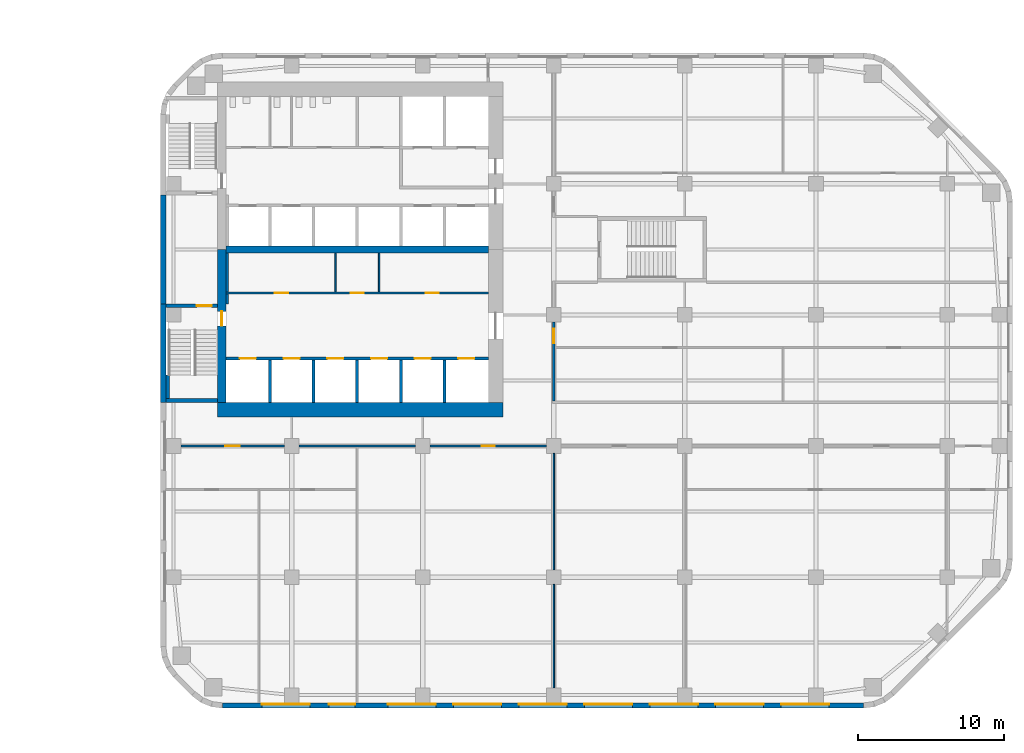
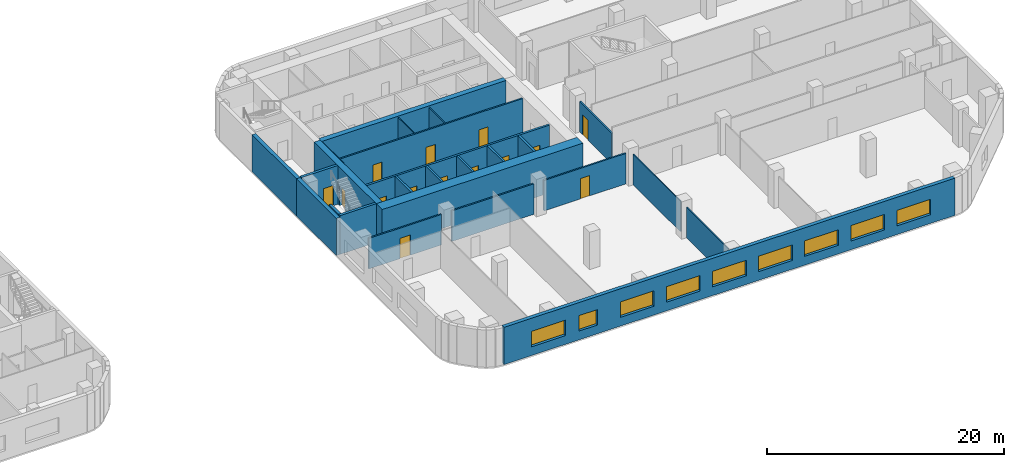
# One storey, part 9 of 16: 26 walls, 14 doors, 9 windows, 23 openings.
"""IFC4 building model written with IfcOpenShell, lengths in metres."""

from ifc_helpers import new_model, si_unit, direction, frame, frame_2d, origin, place, context, subcontext, project, spatial, rectangle, extrude, material, layer, layer_set, type_object, element, fill, save


model = new_model("IFC4")

# Units and contexts
model_context = context("Model", 3, precision=1e-05, world=origin(), true_north=direction((0.0, 1.0)))
body_context = subcontext(model_context, "Body", "Model", "MODEL_VIEW")
ifc_project = project(units=[si_unit("LENGTHUNIT", "METRE"), si_unit("AREAUNIT", "SQUARE_METRE"), si_unit("VOLUMEUNIT", "CUBIC_METRE"), si_unit("PLANEANGLEUNIT", "RADIAN"), si_unit("MASSUNIT", "GRAM", prefix="KILO")], contexts=[model_context])

# Site, building, storey
site_placement = place(None, origin())
site = spatial("IfcSite", under=ifc_project, at=site_placement, CompositionType="ELEMENT")
building_placement = place(site_placement, origin())
building = spatial("IfcBuilding", under=site, at=building_placement, Name="Cinnabar Reach Civic Tower", CompositionType="ELEMENT")
storey_placement = place(building_placement, frame((0.0, 0.0, 79.0)))
storey = spatial("IfcBuildingStorey", under=building, at=storey_placement, Name="L18", CompositionType="ELEMENT", Elevation=79.0)

# Wall, openings, windows
ifc_material_1 = material(Name="Facing brick with insulated backing", Category="masonry")
ifc_layer_1 = layer(ifc_material_1, 0.36)
ifc_layer_set_1 = layer_set([ifc_layer_1], Name="Brick pier and spandrel wall")
wall_type_1 = type_object("IfcWallType", Name="Brick pier and spandrel wall", PredefinedType="STANDARD", material=ifc_layer_set_1)
wall_1_placement = place(storey_placement, frame((4.2426, 0.18, 0.0), z_axis=(0.0, 0.0, 1.0), x_axis=(1.0, 0.0, 0.0)))
wall_1 = element("IfcWall", 1, at=wall_1_placement, inside=storey, type_object=wall_type_1, Name="Brick facade wall", PredefinedType="STANDARD", context=body_context, shape_type="SweptSolid", body=[
    extrude(rectangle(XDim=44.0148, YDim=0.36, at=frame_2d((22.0074, 0.0))), origin(), (0.0, 0.0, 1.0), 3.85),
])
opening_1_placement = place(wall_1_placement, frame((2.7074, 0.0, 0.9)))
opening_1 = element("IfcOpeningElement", 2, at=opening_1_placement, cuts=wall_1, Name="Opening W1348", PredefinedType="OPENING", context=body_context, shape_type="SweptSolid", body=[
    extrude(rectangle(XDim=3.3, YDim=1.6, at=frame_2d((1.65, 0.8))), frame((0.0, 0.19, 0.0), z_axis=(0.0, -1.0, 0.0), x_axis=(1.0, 0.0, 0.0)), (0.0, 0.0, 1.0), 0.38),
])
opening_2_placement = place(wall_1_placement, frame((7.3074, 0.0, 0.9)))
opening_2 = element("IfcOpeningElement", 3, at=opening_2_placement, cuts=wall_1, Name="Opening W1349", PredefinedType="OPENING", context=body_context, shape_type="SweptSolid", body=[
    extrude(rectangle(XDim=1.8, YDim=1.6, at=frame_2d((0.9, 0.8))), frame((0.0, 0.19, 0.0), z_axis=(0.0, -1.0, 0.0), x_axis=(1.0, 0.0, 0.0)), (0.0, 0.0, 1.0), 0.38),
])
opening_3_placement = place(wall_1_placement, frame((11.3574, 0.0, 0.9)))
opening_3 = element("IfcOpeningElement", 4, at=opening_3_placement, cuts=wall_1, Name="Opening W1350", PredefinedType="OPENING", context=body_context, shape_type="SweptSolid", body=[
    extrude(rectangle(XDim=3.3, YDim=1.6, at=frame_2d((1.65, 0.8))), frame((0.0, 0.19, 0.0), z_axis=(0.0, -1.0, 0.0), x_axis=(1.0, 0.0, 0.0)), (0.0, 0.0, 1.0), 0.38),
])
opening_4_placement = place(wall_1_placement, frame((15.8574, 0.0, 0.9)))
opening_4 = element("IfcOpeningElement", 5, at=opening_4_placement, cuts=wall_1, Name="Opening W1351", PredefinedType="OPENING", context=body_context, shape_type="SweptSolid", body=[
    extrude(rectangle(XDim=3.3, YDim=1.6, at=frame_2d((1.65, 0.8))), frame((0.0, 0.19, 0.0), z_axis=(0.0, -1.0, 0.0), x_axis=(1.0, 0.0, 0.0)), (0.0, 0.0, 1.0), 0.38),
])
opening_5_placement = place(wall_1_placement, frame((20.3574, 0.0, 0.9)))
opening_5 = element("IfcOpeningElement", 6, at=opening_5_placement, cuts=wall_1, Name="Opening W1352", PredefinedType="OPENING", context=body_context, shape_type="SweptSolid", body=[
    extrude(rectangle(XDim=3.3, YDim=1.6, at=frame_2d((1.65, 0.8))), frame((0.0, 0.19, 0.0), z_axis=(0.0, -1.0, 0.0), x_axis=(1.0, 0.0, 0.0)), (0.0, 0.0, 1.0), 0.38),
])
opening_6_placement = place(wall_1_placement, frame((24.8574, 0.0, 0.9)))
opening_6 = element("IfcOpeningElement", 7, at=opening_6_placement, cuts=wall_1, Name="Opening W1353", PredefinedType="OPENING", context=body_context, shape_type="SweptSolid", body=[
    extrude(rectangle(XDim=3.3, YDim=1.6, at=frame_2d((1.65, 0.8))), frame((0.0, 0.19, 0.0), z_axis=(0.0, -1.0, 0.0), x_axis=(1.0, 0.0, 0.0)), (0.0, 0.0, 1.0), 0.38),
])
opening_7_placement = place(wall_1_placement, frame((29.3574, 0.0, 0.9)))
opening_7 = element("IfcOpeningElement", 8, at=opening_7_placement, cuts=wall_1, Name="Opening W1354", PredefinedType="OPENING", context=body_context, shape_type="SweptSolid", body=[
    extrude(rectangle(XDim=3.3, YDim=1.6, at=frame_2d((1.65, 0.8))), frame((0.0, 0.19, 0.0), z_axis=(0.0, -1.0, 0.0), x_axis=(1.0, 0.0, 0.0)), (0.0, 0.0, 1.0), 0.38),
])
opening_8_placement = place(wall_1_placement, frame((33.8574, 0.0, 0.9)))
opening_8 = element("IfcOpeningElement", 9, at=opening_8_placement, cuts=wall_1, Name="Opening W1355", PredefinedType="OPENING", context=body_context, shape_type="SweptSolid", body=[
    extrude(rectangle(XDim=3.3, YDim=1.6, at=frame_2d((1.65, 0.8))), frame((0.0, 0.19, 0.0), z_axis=(0.0, -1.0, 0.0), x_axis=(1.0, 0.0, 0.0)), (0.0, 0.0, 1.0), 0.38),
])
opening_9_placement = place(wall_1_placement, frame((38.3574, 0.0, 0.9)))
opening_9 = element("IfcOpeningElement", 10, at=opening_9_placement, cuts=wall_1, Name="Opening W1356", PredefinedType="OPENING", context=body_context, shape_type="SweptSolid", body=[
    extrude(rectangle(XDim=3.3, YDim=1.6, at=frame_2d((1.65, 0.8))), frame((0.0, 0.19, 0.0), z_axis=(0.0, -1.0, 0.0), x_axis=(1.0, 0.0, 0.0)), (0.0, 0.0, 1.0), 0.38),
])
ifc_material_2 = material(Name="Clear double glazing in aluminium frame", Category="aluminium")
window_type_1 = type_object("IfcWindowType", Name="Deep-set window A", PartitioningType="SINGLE_PANEL", PredefinedType="WINDOW", material=ifc_material_2)
window_1_placement = place(opening_1_placement, origin())
window_1 = element("IfcWindow", 11, at=window_1_placement, inside=storey, type_object=window_type_1, Name="Window south face", OverallHeight=1.6, OverallWidth=3.3, PartitioningType="SINGLE_PANEL", PredefinedType="WINDOW", context=body_context, shape_type="SweptSolid", body=[
    extrude(rectangle(XDim=3.3, YDim=1.6, at=frame_2d((1.65, 0.8))), frame((0.0, 0.13, 0.0), z_axis=(0.0, -1.0, 0.0), x_axis=(1.0, 0.0, 0.0)), (0.0, 0.0, 1.0), 0.06),
])
fill(opening_1, window_1)
window_2_placement = place(opening_3_placement, origin())
window_2 = element("IfcWindow", 12, at=window_2_placement, inside=storey, type_object=window_type_1, Name="Window south face", OverallHeight=1.6, OverallWidth=3.3, PartitioningType="SINGLE_PANEL", PredefinedType="WINDOW", context=body_context, shape_type="SweptSolid", body=[
    extrude(rectangle(XDim=3.3, YDim=1.6, at=frame_2d((1.65, 0.8))), frame((0.0, 0.13, 0.0), z_axis=(0.0, -1.0, 0.0), x_axis=(1.0, 0.0, 0.0)), (0.0, 0.0, 1.0), 0.06),
])
fill(opening_3, window_2)
window_3_placement = place(opening_4_placement, origin())
window_3 = element("IfcWindow", 13, at=window_3_placement, inside=storey, type_object=window_type_1, Name="Window south face", OverallHeight=1.6, OverallWidth=3.3, PartitioningType="SINGLE_PANEL", PredefinedType="WINDOW", context=body_context, shape_type="SweptSolid", body=[
    extrude(rectangle(XDim=3.3, YDim=1.6, at=frame_2d((1.65, 0.8))), frame((0.0, 0.13, 0.0), z_axis=(0.0, -1.0, 0.0), x_axis=(1.0, 0.0, 0.0)), (0.0, 0.0, 1.0), 0.06),
])
fill(opening_4, window_3)
window_4_placement = place(opening_5_placement, origin())
window_4 = element("IfcWindow", 14, at=window_4_placement, inside=storey, type_object=window_type_1, Name="Window south face", OverallHeight=1.6, OverallWidth=3.3, PartitioningType="SINGLE_PANEL", PredefinedType="WINDOW", context=body_context, shape_type="SweptSolid", body=[
    extrude(rectangle(XDim=3.3, YDim=1.6, at=frame_2d((1.65, 0.8))), frame((0.0, 0.13, 0.0), z_axis=(0.0, -1.0, 0.0), x_axis=(1.0, 0.0, 0.0)), (0.0, 0.0, 1.0), 0.06),
])
fill(opening_5, window_4)
window_5_placement = place(opening_6_placement, origin())
window_5 = element("IfcWindow", 15, at=window_5_placement, inside=storey, type_object=window_type_1, Name="Window south face", OverallHeight=1.6, OverallWidth=3.3, PartitioningType="SINGLE_PANEL", PredefinedType="WINDOW", context=body_context, shape_type="SweptSolid", body=[
    extrude(rectangle(XDim=3.3, YDim=1.6, at=frame_2d((1.65, 0.8))), frame((0.0, 0.13, 0.0), z_axis=(0.0, -1.0, 0.0), x_axis=(1.0, 0.0, 0.0)), (0.0, 0.0, 1.0), 0.06),
])
fill(opening_6, window_5)
window_6_placement = place(opening_7_placement, origin())
window_6 = element("IfcWindow", 16, at=window_6_placement, inside=storey, type_object=window_type_1, Name="Window south face", OverallHeight=1.6, OverallWidth=3.3, PartitioningType="SINGLE_PANEL", PredefinedType="WINDOW", context=body_context, shape_type="SweptSolid", body=[
    extrude(rectangle(XDim=3.3, YDim=1.6, at=frame_2d((1.65, 0.8))), frame((0.0, 0.13, 0.0), z_axis=(0.0, -1.0, 0.0), x_axis=(1.0, 0.0, 0.0)), (0.0, 0.0, 1.0), 0.06),
])
fill(opening_7, window_6)
window_7_placement = place(opening_8_placement, origin())
window_7 = element("IfcWindow", 17, at=window_7_placement, inside=storey, type_object=window_type_1, Name="Window south face", OverallHeight=1.6, OverallWidth=3.3, PartitioningType="SINGLE_PANEL", PredefinedType="WINDOW", context=body_context, shape_type="SweptSolid", body=[
    extrude(rectangle(XDim=3.3, YDim=1.6, at=frame_2d((1.65, 0.8))), frame((0.0, 0.13, 0.0), z_axis=(0.0, -1.0, 0.0), x_axis=(1.0, 0.0, 0.0)), (0.0, 0.0, 1.0), 0.06),
])
fill(opening_8, window_7)
window_8_placement = place(opening_9_placement, origin())
window_8 = element("IfcWindow", 18, at=window_8_placement, inside=storey, type_object=window_type_1, Name="Window south face", OverallHeight=1.6, OverallWidth=3.3, PartitioningType="SINGLE_PANEL", PredefinedType="WINDOW", context=body_context, shape_type="SweptSolid", body=[
    extrude(rectangle(XDim=3.3, YDim=1.6, at=frame_2d((1.65, 0.8))), frame((0.0, 0.13, 0.0), z_axis=(0.0, -1.0, 0.0), x_axis=(1.0, 0.0, 0.0)), (0.0, 0.0, 1.0), 0.06),
])
fill(opening_9, window_8)
window_type_2 = type_object("IfcWindowType", Name="Deep-set window D", PartitioningType="SINGLE_PANEL", PredefinedType="WINDOW", material=ifc_material_2)
window_9_placement = place(opening_2_placement, origin())
window_9 = element("IfcWindow", 19, at=window_9_placement, inside=storey, type_object=window_type_2, Name="Window south face", OverallHeight=1.6, OverallWidth=1.8, PartitioningType="SINGLE_PANEL", PredefinedType="WINDOW", context=body_context, shape_type="SweptSolid", body=[
    extrude(rectangle(XDim=1.8, YDim=1.6, at=frame_2d((0.9, 0.8))), frame((0.0, 0.13, 0.0), z_axis=(0.0, -1.0, 0.0), x_axis=(1.0, 0.0, 0.0)), (0.0, 0.0, 1.0), 0.06),
])
fill(opening_2, window_9)

# Walls
wall_2_placement = place(storey_placement, frame((0.18, 35.25, 0.0), z_axis=(0.0, 0.0, 1.0), x_axis=(0.0, -1.0, 0.0)))
element("IfcWall", 20, at=wall_2_placement, inside=storey, type_object=wall_type_1, Name="Brick facade wall", PredefinedType="STANDARD", context=body_context, shape_type="SweptSolid", body=[
    extrude(rectangle(XDim=7.5, YDim=0.36, at=frame_2d((3.75, 0.0))), origin(), (0.0, 0.0, 1.0), 3.85),
])
wall_3_placement = place(storey_placement, frame((0.18, 27.75, 0.0), z_axis=(0.0, 0.0, 1.0), x_axis=(0.0, -1.0, 0.0)))
element("IfcWall", 21, at=wall_3_placement, inside=storey, type_object=wall_type_1, Name="Brick facade wall", PredefinedType="STANDARD", context=body_context, shape_type="SweptSolid", body=[
    extrude(rectangle(XDim=6.75, YDim=0.36, at=frame_2d((3.375, 0.0))), origin(), (0.0, 0.0, 1.0), 3.85),
])
ifc_material_3 = material(Name="Concrete C70", Category="concrete")
ifc_layer_2 = layer(ifc_material_3, 1.0)
ifc_layer_set_2 = layer_set([ifc_layer_2], Name="Core wall 1000 EI 180")
wall_type_2 = type_object("IfcWallType", Name="Core wall 1000 EI 180", PredefinedType="SOLIDWALL", material=ifc_layer_set_2)
wall_4_placement = place(storey_placement, frame((3.9, 20.5, 0.0), z_axis=(0.0, 0.0, 1.0), x_axis=(1.0, 0.0, 0.0)))
element("IfcWall", 22, at=wall_4_placement, inside=storey, type_object=wall_type_2, Name="Core wall T1 L18 S", PredefinedType="SOLIDWALL", context=body_context, shape_type="SweptSolid", body=[
    extrude(rectangle(XDim=19.6, YDim=1.0, at=frame_2d((9.8, 0.0))), origin(), (0.0, 0.0, 1.0), 4.0),
])
ifc_material_4 = material(Name="Concrete C60", Category="concrete")
ifc_layer_3 = layer(ifc_material_4, 0.5)
ifc_layer_set_3 = layer_set([ifc_layer_3], Name="Core wall 500 EI 180")
wall_type_3 = type_object("IfcWallType", Name="Core wall 500 EI 180", PredefinedType="SOLIDWALL", material=ifc_layer_set_3)
wall_5_placement = place(storey_placement, frame((4.5, 31.5, 0.0), z_axis=(0.0, 0.0, 1.0), x_axis=(1.0, 0.0, 0.0)))
element("IfcWall", 23, at=wall_5_placement, inside=storey, type_object=wall_type_3, Name="Core spine wall T1 L18", PredefinedType="SOLIDWALL", context=body_context, shape_type="SweptSolid", body=[
    extrude(rectangle(XDim=18.0, YDim=0.5, at=frame_2d((9.0, 0.0))), origin(), (0.0, 0.0, 1.0), 4.0),
])

# Wall, opening, door
ifc_layer_4 = layer(ifc_material_3, 0.6)
ifc_layer_set_4 = layer_set([ifc_layer_4], Name="Core wall 600 EI 180")
wall_type_4 = type_object("IfcWallType", Name="Core wall 600 EI 180", PredefinedType="SOLIDWALL", material=ifc_layer_set_4)
wall_6_placement = place(storey_placement, frame((4.2, 31.5, 0.0), z_axis=(0.0, 0.0, 1.0), x_axis=(0.0, -1.0, 0.0)))
wall_6 = element("IfcWall", 24, at=wall_6_placement, inside=storey, type_object=wall_type_4, Name="Core wall T1 L18 W2", PredefinedType="SOLIDWALL", context=body_context, shape_type="SweptSolid", body=[
    extrude(rectangle(XDim=10.5, YDim=0.6, at=frame_2d((5.25, 0.0))), origin(), (0.0, 0.0, 1.0), 4.0),
])
opening_10_placement = place(wall_6_placement, frame((4.25, 0.0, 0.0)))
opening_10 = element("IfcOpeningElement", 25, at=opening_10_placement, cuts=wall_6, Name="Opening D3710", PredefinedType="OPENING", context=body_context, shape_type="SweptSolid", body=[
    extrude(rectangle(XDim=1.0, YDim=2.1, at=frame_2d((0.5, 1.05))), frame((0.0, 0.31, 0.0), z_axis=(0.0, -1.0, 0.0), x_axis=(1.0, 0.0, 0.0)), (0.0, 0.0, 1.0), 0.62),
])
ifc_material_5 = material(Name="Timber door leaf in steel frame", Category="steel")
door_type_1 = type_object("IfcDoorType", Name="Stair door 1000 x 2100 T1", OperationType="SINGLE_SWING_LEFT", PredefinedType="DOOR", material=ifc_material_5)
door_1_placement = place(opening_10_placement, frame((1.0, 0.0, 0.0), z_axis=(0.0, 0.0, 1.0), x_axis=(-1.0, 0.0, 0.0)))
door_1 = element("IfcDoor", 26, at=door_1_placement, inside=storey, type_object=door_type_1, Name="Door D3710", OperationType="SINGLE_SWING_RIGHT", OverallHeight=2.1, OverallWidth=1.0, PredefinedType="DOOR", context=body_context, shape_type="SweptSolid", body=[
    extrude(rectangle(XDim=1.0, YDim=2.1, at=frame_2d((0.5, 1.05))), frame((0.0, 0.025, 0.0), z_axis=(0.0, -1.0, 0.0), x_axis=(1.0, 0.0, 0.0)), (0.0, 0.0, 1.0), 0.05),
])
fill(opening_10, door_1)

ifc_material_6 = material(Name="Gypsum board on steel studs, double layer", Category="steel")
ifc_layer_5 = layer(ifc_material_6, 0.15)
ifc_layer_set_5 = layer_set([ifc_layer_5], Name="Corridor wall 150 T1")
wall_type_5 = type_object("IfcWallType", Name="Corridor wall 150 T1", PredefinedType="PARTITIONING", material=ifc_layer_set_5)
wall_7_placement = place(storey_placement, frame((18.5, 18.0, 0.0), z_axis=(0.0, 0.0, 1.0), x_axis=(1.0, 0.0, 0.0)))
wall_7 = element("IfcWall", 27, at=wall_7_placement, inside=storey, type_object=wall_type_5, Name="Corridor wall 23", PredefinedType="PARTITIONING", context=body_context, shape_type="SweptSolid", body=[
    extrude(rectangle(XDim=8.0, YDim=0.15, at=frame_2d((4.0, 0.0))), origin(), (0.0, 0.0, 1.0), 3.15),
])
opening_11_placement = place(wall_7_placement, frame((3.55, 0.0, 0.0)))
opening_11 = element("IfcOpeningElement", 28, at=opening_11_placement, cuts=wall_7, Name="Opening D3746", PredefinedType="OPENING", context=body_context, shape_type="SweptSolid", body=[
    extrude(rectangle(XDim=0.9, YDim=2.1, at=frame_2d((0.45, 1.05))), frame((0.0, 0.085, 0.0), z_axis=(0.0, -1.0, 0.0), x_axis=(1.0, 0.0, 0.0)), (0.0, 0.0, 1.0), 0.17),
])
door_type_2 = type_object("IfcDoorType", Name="Single swing door 900 x 2100 corridor T1", OperationType="SINGLE_SWING_LEFT", PredefinedType="DOOR", material=ifc_material_5)
door_2_placement = place(opening_11_placement, frame((0.9, 0.0, 0.0), z_axis=(0.0, 0.0, 1.0), x_axis=(-1.0, 0.0, 0.0)))
door_2 = element("IfcDoor", 29, at=door_2_placement, inside=storey, type_object=door_type_2, Name="Door D3746", OperationType="SINGLE_SWING_LEFT", OverallHeight=2.1, OverallWidth=0.9, PredefinedType="DOOR", context=body_context, shape_type="SweptSolid", body=[
    extrude(rectangle(XDim=0.9, YDim=2.1, at=frame_2d((0.45, 1.05))), frame((0.0, 0.025, 0.0), z_axis=(0.0, -1.0, 0.0), x_axis=(1.0, 0.0, 0.0)), (0.0, 0.0, 1.0), 0.05),
])
fill(opening_11, door_2)

# Wall
wall_8_placement = place(storey_placement, frame((9.5, 18.0, 0.0), z_axis=(0.0, 0.0, 1.0), x_axis=(1.0, 0.0, 0.0)))
element("IfcWall", 30, at=wall_8_placement, inside=storey, type_object=wall_type_5, Name="Corridor wall 24", PredefinedType="PARTITIONING", context=body_context, shape_type="SweptSolid", body=[
    extrude(rectangle(XDim=8.0, YDim=0.15, at=frame_2d((4.0, 0.0))), origin(), (0.0, 0.0, 1.0), 3.15),
])

# Wall, opening, door
wall_9_placement = place(storey_placement, frame((1.4, 18.0, 0.0), z_axis=(0.0, 0.0, 1.0), x_axis=(1.0, 0.0, 0.0)))
wall_9 = element("IfcWall", 31, at=wall_9_placement, inside=storey, type_object=wall_type_5, Name="Corridor wall 25", PredefinedType="PARTITIONING", context=body_context, shape_type="SweptSolid", body=[
    extrude(rectangle(XDim=7.1, YDim=0.15, at=frame_2d((3.55, 0.0))), origin(), (0.0, 0.0, 1.0), 3.15),
])
opening_12_placement = place(wall_9_placement, frame((3.05, 0.0, 0.0)))
opening_12 = element("IfcOpeningElement", 32, at=opening_12_placement, cuts=wall_9, Name="Opening D3743", PredefinedType="OPENING", context=body_context, shape_type="SweptSolid", body=[
    extrude(rectangle(XDim=1.0, YDim=2.1, at=frame_2d((0.5, 1.05))), frame((0.0, 0.085, 0.0), z_axis=(0.0, -1.0, 0.0), x_axis=(1.0, 0.0, 0.0)), (0.0, 0.0, 1.0), 0.17),
])
door_type_3 = type_object("IfcDoorType", Name="Tenancy entrance door 1000 x 2100 T1", OperationType="SINGLE_SWING_LEFT", PredefinedType="DOOR", material=ifc_material_5)
door_3_placement = place(opening_12_placement, frame((1.0, 0.0, 0.0), z_axis=(0.0, 0.0, 1.0), x_axis=(-1.0, 0.0, 0.0)))
door_3 = element("IfcDoor", 33, at=door_3_placement, inside=storey, type_object=door_type_3, Name="Door D3743", OperationType="SINGLE_SWING_RIGHT", OverallHeight=2.1, OverallWidth=1.0, PredefinedType="DOOR", context=body_context, shape_type="SweptSolid", body=[
    extrude(rectangle(XDim=1.0, YDim=2.1, at=frame_2d((0.5, 1.05))), frame((0.0, 0.025, 0.0), z_axis=(0.0, -1.0, 0.0), x_axis=(1.0, 0.0, 0.0)), (0.0, 0.0, 1.0), 0.05),
])
fill(opening_12, door_3)

# Wall, openings, doors
wall_10_placement = place(storey_placement, frame((4.5, 28.5, 0.0), z_axis=(0.0, 0.0, 1.0), x_axis=(1.0, 0.0, 0.0)))
wall_10 = element("IfcWall", 34, at=wall_10_placement, inside=storey, type_object=wall_type_5, Name="Corridor wall 27", PredefinedType="PARTITIONING", context=body_context, shape_type="SweptSolid", body=[
    extrude(rectangle(XDim=18.0, YDim=0.15, at=frame_2d((9.0, 0.0))), origin(), (0.0, 0.0, 1.0), 3.85),
])
opening_13_placement = place(wall_10_placement, frame((3.35, 0.0, 0.0)))
opening_13 = element("IfcOpeningElement", 35, at=opening_13_placement, cuts=wall_10, Name="Opening D3730", PredefinedType="OPENING", context=body_context, shape_type="SweptSolid", body=[
    extrude(rectangle(XDim=0.9, YDim=2.1, at=frame_2d((0.45, 1.05))), frame((0.0, 0.085, 0.0), z_axis=(0.0, -1.0, 0.0), x_axis=(1.0, 0.0, 0.0)), (0.0, 0.0, 1.0), 0.17),
])
opening_14_placement = place(wall_10_placement, frame((8.55, 0.0, 0.0)))
opening_14 = element("IfcOpeningElement", 36, at=opening_14_placement, cuts=wall_10, Name="Opening D3731", PredefinedType="OPENING", context=body_context, shape_type="SweptSolid", body=[
    extrude(rectangle(XDim=0.9, YDim=2.1, at=frame_2d((0.45, 1.05))), frame((0.0, 0.085, 0.0), z_axis=(0.0, -1.0, 0.0), x_axis=(1.0, 0.0, 0.0)), (0.0, 0.0, 1.0), 0.17),
])
opening_15_placement = place(wall_10_placement, frame((13.7, 0.0, 0.0)))
opening_15 = element("IfcOpeningElement", 37, at=opening_15_placement, cuts=wall_10, Name="Opening D3732", PredefinedType="OPENING", context=body_context, shape_type="SweptSolid", body=[
    extrude(rectangle(XDim=0.9, YDim=2.1, at=frame_2d((0.45, 1.05))), frame((0.0, 0.085, 0.0), z_axis=(0.0, -1.0, 0.0), x_axis=(1.0, 0.0, 0.0)), (0.0, 0.0, 1.0), 0.17),
])
door_4_placement = place(opening_13_placement, origin())
door_4 = element("IfcDoor", 38, at=door_4_placement, inside=storey, type_object=door_type_2, Name="Door D3730", OperationType="SINGLE_SWING_LEFT", OverallHeight=2.1, OverallWidth=0.9, PredefinedType="DOOR", context=body_context, shape_type="SweptSolid", body=[
    extrude(rectangle(XDim=0.9, YDim=2.1, at=frame_2d((0.45, 1.05))), frame((0.0, 0.025, 0.0), z_axis=(0.0, -1.0, 0.0), x_axis=(1.0, 0.0, 0.0)), (0.0, 0.0, 1.0), 0.05),
])
fill(opening_13, door_4)
door_5_placement = place(opening_14_placement, origin())
door_5 = element("IfcDoor", 39, at=door_5_placement, inside=storey, type_object=door_type_2, Name="Door D3731", OperationType="SINGLE_SWING_RIGHT", OverallHeight=2.1, OverallWidth=0.9, PredefinedType="DOOR", context=body_context, shape_type="SweptSolid", body=[
    extrude(rectangle(XDim=0.9, YDim=2.1, at=frame_2d((0.45, 1.05))), frame((0.0, 0.025, 0.0), z_axis=(0.0, -1.0, 0.0), x_axis=(1.0, 0.0, 0.0)), (0.0, 0.0, 1.0), 0.05),
])
fill(opening_14, door_5)
door_6_placement = place(opening_15_placement, origin())
door_6 = element("IfcDoor", 40, at=door_6_placement, inside=storey, type_object=door_type_2, Name="Door D3732", OperationType="SINGLE_SWING_RIGHT", OverallHeight=2.1, OverallWidth=0.9, PredefinedType="DOOR", context=body_context, shape_type="SweptSolid", body=[
    extrude(rectangle(XDim=0.9, YDim=2.1, at=frame_2d((0.45, 1.05))), frame((0.0, 0.025, 0.0), z_axis=(0.0, -1.0, 0.0), x_axis=(1.0, 0.0, 0.0)), (0.0, 0.0, 1.0), 0.05),
])
fill(opening_15, door_6)

# Wall, opening, door
wall_11_placement = place(storey_placement, frame((27.0, 21.075, 0.0), z_axis=(0.0, 0.0, 1.0), x_axis=(0.0, 1.0, 0.0)))
wall_11 = element("IfcWall", 41, at=wall_11_placement, inside=storey, type_object=wall_type_5, Name="Corridor wall 31", PredefinedType="PARTITIONING", context=body_context, shape_type="SweptSolid", body=[
    extrude(rectangle(XDim=5.425, YDim=0.15, at=frame_2d((2.7125, 0.0))), origin(), (0.0, 0.0, 1.0), 3.158),
])
opening_16_placement = place(wall_11_placement, frame((3.975, 0.0, 0.0)))
opening_16 = element("IfcOpeningElement", 42, at=opening_16_placement, cuts=wall_11, Name="Opening D3740", PredefinedType="OPENING", context=body_context, shape_type="SweptSolid", body=[
    extrude(rectangle(XDim=1.0, YDim=2.1, at=frame_2d((0.5, 1.05))), frame((0.0, 0.085, 0.0), z_axis=(0.0, -1.0, 0.0), x_axis=(1.0, 0.0, 0.0)), (0.0, 0.0, 1.0), 0.17),
])
door_7_placement = place(opening_16_placement, frame((1.0, 0.0, 0.0), z_axis=(0.0, 0.0, 1.0), x_axis=(-1.0, 0.0, 0.0)))
door_7 = element("IfcDoor", 43, at=door_7_placement, inside=storey, type_object=door_type_3, Name="Door D3740", OperationType="SINGLE_SWING_RIGHT", OverallHeight=2.1, OverallWidth=1.0, PredefinedType="DOOR", context=body_context, shape_type="SweptSolid", body=[
    extrude(rectangle(XDim=1.0, YDim=2.1, at=frame_2d((0.5, 1.05))), frame((0.0, 0.025, 0.0), z_axis=(0.0, -1.0, 0.0), x_axis=(1.0, 0.0, 0.0)), (0.0, 0.0, 1.0), 0.05),
])
fill(opening_16, door_7)

# Walls
wall_12_placement = place(storey_placement, frame((4.575, 27.75, 0.0), z_axis=(0.0, 0.0, 1.0), x_axis=(0.0, 1.0, 0.0)))
element("IfcWall", 44, at=wall_12_placement, inside=storey, type_object=wall_type_5, Name="Corridor wall 33", PredefinedType="PARTITIONING", context=body_context, shape_type="SweptSolid", body=[
    extrude(rectangle(XDim=0.675, YDim=0.15, at=frame_2d((0.3375, 0.0))), origin(), (0.0, 0.0, 1.0), 3.85),
])
wall_13_placement = place(storey_placement, frame((4.575, 28.575, 0.0), z_axis=(0.0, 0.0, 1.0), x_axis=(0.0, 1.0, 0.0)))
element("IfcWall", 45, at=wall_13_placement, inside=storey, type_object=wall_type_5, Name="Corridor wall 34", PredefinedType="PARTITIONING", context=body_context, shape_type="SweptSolid", body=[
    extrude(rectangle(XDim=2.675, YDim=0.15, at=frame_2d((1.3375, 0.0))), origin(), (0.0, 0.0, 1.0), 3.85),
])

# Wall, openings, doors
ifc_material_7 = material(Name="Blockwork", Category="masonry")
ifc_layer_6 = layer(ifc_material_7, 0.2)
ifc_layer_set_6 = layer_set([ifc_layer_6], Name="Lift shaft wall 200 T1")
wall_type_6 = type_object("IfcWallType", Name="Lift shaft wall 200 T1", PredefinedType="PARTITIONING", material=ifc_layer_set_6)
wall_14_placement = place(storey_placement, frame((4.5, 24.0, 0.0), z_axis=(0.0, 0.0, 1.0), x_axis=(1.0, 0.0, 0.0)))
wall_14 = element("IfcWall", 46, at=wall_14_placement, inside=storey, type_object=wall_type_6, Name="Lift shaft wall 4", PredefinedType="PARTITIONING", context=body_context, shape_type="SweptSolid", body=[
    extrude(rectangle(XDim=18.0, YDim=0.2, at=frame_2d((9.0, 0.0))), origin(), (0.0, 0.0, 1.0), 3.85),
])
opening_17_placement = place(wall_14_placement, frame((0.95, 0.0, 0.0)))
opening_17 = element("IfcOpeningElement", 47, at=opening_17_placement, cuts=wall_14, Name="Opening D3714", PredefinedType="OPENING", context=body_context, shape_type="SweptSolid", body=[
    extrude(rectangle(XDim=1.1, YDim=2.1, at=frame_2d((0.55, 1.05))), frame((0.0, 0.11, 0.0), z_axis=(0.0, -1.0, 0.0), x_axis=(1.0, 0.0, 0.0)), (0.0, 0.0, 1.0), 0.22),
])
opening_18_placement = place(wall_14_placement, frame((3.95, 0.0, 0.0)))
opening_18 = element("IfcOpeningElement", 48, at=opening_18_placement, cuts=wall_14, Name="Opening D3715", PredefinedType="OPENING", context=body_context, shape_type="SweptSolid", body=[
    extrude(rectangle(XDim=1.1, YDim=2.1, at=frame_2d((0.55, 1.05))), frame((0.0, 0.11, 0.0), z_axis=(0.0, -1.0, 0.0), x_axis=(1.0, 0.0, 0.0)), (0.0, 0.0, 1.0), 0.22),
])
opening_19_placement = place(wall_14_placement, frame((6.95, 0.0, 0.0)))
opening_19 = element("IfcOpeningElement", 49, at=opening_19_placement, cuts=wall_14, Name="Opening D3716", PredefinedType="OPENING", context=body_context, shape_type="SweptSolid", body=[
    extrude(rectangle(XDim=1.1, YDim=2.1, at=frame_2d((0.55, 1.05))), frame((0.0, 0.11, 0.0), z_axis=(0.0, -1.0, 0.0), x_axis=(1.0, 0.0, 0.0)), (0.0, 0.0, 1.0), 0.22),
])
opening_20_placement = place(wall_14_placement, frame((9.95, 0.0, 0.0)))
opening_20 = element("IfcOpeningElement", 50, at=opening_20_placement, cuts=wall_14, Name="Opening D3717", PredefinedType="OPENING", context=body_context, shape_type="SweptSolid", body=[
    extrude(rectangle(XDim=1.1, YDim=2.1, at=frame_2d((0.55, 1.05))), frame((0.0, 0.11, 0.0), z_axis=(0.0, -1.0, 0.0), x_axis=(1.0, 0.0, 0.0)), (0.0, 0.0, 1.0), 0.22),
])
opening_21_placement = place(wall_14_placement, frame((12.95, 0.0, 0.0)))
opening_21 = element("IfcOpeningElement", 51, at=opening_21_placement, cuts=wall_14, Name="Opening D3718", PredefinedType="OPENING", context=body_context, shape_type="SweptSolid", body=[
    extrude(rectangle(XDim=1.1, YDim=2.1, at=frame_2d((0.55, 1.05))), frame((0.0, 0.11, 0.0), z_axis=(0.0, -1.0, 0.0), x_axis=(1.0, 0.0, 0.0)), (0.0, 0.0, 1.0), 0.22),
])
opening_22_placement = place(wall_14_placement, frame((15.95, 0.0, 0.0)))
opening_22 = element("IfcOpeningElement", 52, at=opening_22_placement, cuts=wall_14, Name="Opening D3719", PredefinedType="OPENING", context=body_context, shape_type="SweptSolid", body=[
    extrude(rectangle(XDim=1.1, YDim=2.1, at=frame_2d((0.55, 1.05))), frame((0.0, 0.11, 0.0), z_axis=(0.0, -1.0, 0.0), x_axis=(1.0, 0.0, 0.0)), (0.0, 0.0, 1.0), 0.22),
])
ifc_material_8 = material(Name="Stainless steel sliding door", Category="steel")
door_type_4 = type_object("IfcDoorType", Name="Lift landing door 1100 x 2100 T1", OperationType="SLIDING_TO_LEFT", PredefinedType="DOOR", material=ifc_material_8)
door_8_placement = place(opening_17_placement, origin())
door_8 = element("IfcDoor", 53, at=door_8_placement, inside=storey, type_object=door_type_4, Name="Lift landing door LR1 L18", OperationType="SLIDING_TO_LEFT", OverallHeight=2.1, OverallWidth=1.1, PredefinedType="DOOR", context=body_context, shape_type="SweptSolid", body=[
    extrude(rectangle(XDim=1.1, YDim=2.1, at=frame_2d((0.55, 1.05))), frame((0.0, 0.025, 0.0), z_axis=(0.0, -1.0, 0.0), x_axis=(1.0, 0.0, 0.0)), (0.0, 0.0, 1.0), 0.05),
])
fill(opening_17, door_8)
door_9_placement = place(opening_18_placement, origin())
door_9 = element("IfcDoor", 54, at=door_9_placement, inside=storey, type_object=door_type_4, Name="Lift landing door LR2 L18", OperationType="SLIDING_TO_LEFT", OverallHeight=2.1, OverallWidth=1.1, PredefinedType="DOOR", context=body_context, shape_type="SweptSolid", body=[
    extrude(rectangle(XDim=1.1, YDim=2.1, at=frame_2d((0.55, 1.05))), frame((0.0, 0.025, 0.0), z_axis=(0.0, -1.0, 0.0), x_axis=(1.0, 0.0, 0.0)), (0.0, 0.0, 1.0), 0.05),
])
fill(opening_18, door_9)
door_10_placement = place(opening_19_placement, origin())
door_10 = element("IfcDoor", 55, at=door_10_placement, inside=storey, type_object=door_type_4, Name="Lift landing door LR3 L18", OperationType="SLIDING_TO_LEFT", OverallHeight=2.1, OverallWidth=1.1, PredefinedType="DOOR", context=body_context, shape_type="SweptSolid", body=[
    extrude(rectangle(XDim=1.1, YDim=2.1, at=frame_2d((0.55, 1.05))), frame((0.0, 0.025, 0.0), z_axis=(0.0, -1.0, 0.0), x_axis=(1.0, 0.0, 0.0)), (0.0, 0.0, 1.0), 0.05),
])
fill(opening_19, door_10)
door_11_placement = place(opening_20_placement, origin())
door_11 = element("IfcDoor", 56, at=door_11_placement, inside=storey, type_object=door_type_4, Name="Lift landing door LR4 L18", OperationType="SLIDING_TO_LEFT", OverallHeight=2.1, OverallWidth=1.1, PredefinedType="DOOR", context=body_context, shape_type="SweptSolid", body=[
    extrude(rectangle(XDim=1.1, YDim=2.1, at=frame_2d((0.55, 1.05))), frame((0.0, 0.025, 0.0), z_axis=(0.0, -1.0, 0.0), x_axis=(1.0, 0.0, 0.0)), (0.0, 0.0, 1.0), 0.05),
])
fill(opening_20, door_11)
door_12_placement = place(opening_21_placement, origin())
door_12 = element("IfcDoor", 57, at=door_12_placement, inside=storey, type_object=door_type_4, Name="Lift landing door LR5 L18", OperationType="SLIDING_TO_LEFT", OverallHeight=2.1, OverallWidth=1.1, PredefinedType="DOOR", context=body_context, shape_type="SweptSolid", body=[
    extrude(rectangle(XDim=1.1, YDim=2.1, at=frame_2d((0.55, 1.05))), frame((0.0, 0.025, 0.0), z_axis=(0.0, -1.0, 0.0), x_axis=(1.0, 0.0, 0.0)), (0.0, 0.0, 1.0), 0.05),
])
fill(opening_21, door_12)
door_13_placement = place(opening_22_placement, origin())
door_13 = element("IfcDoor", 58, at=door_13_placement, inside=storey, type_object=door_type_4, Name="Lift landing door LR6 L18", OperationType="SLIDING_TO_LEFT", OverallHeight=2.1, OverallWidth=1.1, PredefinedType="DOOR", context=body_context, shape_type="SweptSolid", body=[
    extrude(rectangle(XDim=1.1, YDim=2.1, at=frame_2d((0.55, 1.05))), frame((0.0, 0.025, 0.0), z_axis=(0.0, -1.0, 0.0), x_axis=(1.0, 0.0, 0.0)), (0.0, 0.0, 1.0), 0.05),
])
fill(opening_22, door_13)

# Walls
for number, where, z_axis, x_axis, name in (
    (59, (7.5, 21.0, 0.0), (0.0, 0.0, 1.0), (0.0, 1.0, 0.0), "Lift shaft wall 9"),
    (60, (10.5, 21.0, 0.0), (0.0, 0.0, 1.0), (0.0, 1.0, 0.0), "Lift shaft wall 11"),
    (61, (13.5, 21.0, 0.0), (0.0, 0.0, 1.0), (0.0, 1.0, 0.0), "Lift shaft wall 13"),
    (62, (16.5, 21.0, 0.0), (0.0, 0.0, 1.0), (0.0, 1.0, 0.0), "Lift shaft wall 15"),
    (63, (19.5, 21.0, 0.0), (0.0, 0.0, 1.0), (0.0, 1.0, 0.0), "Lift shaft wall 17"),
):
    element("IfcWall", number, at=place(storey_placement, frame(where, z_axis=z_axis, x_axis=x_axis)), inside=storey, type_object=wall_type_6, Name=name, PredefinedType="PARTITIONING", context=body_context, shape_type="SweptSolid", body=[
        extrude(rectangle(XDim=2.9, YDim=0.2, at=frame_2d((1.45, 0.0))), origin(), (0.0, 0.0, 1.0), 3.85),
    ])
ifc_material_9 = material(Name="Gypsum board on steel studs", Category="steel")
ifc_layer_7 = layer(ifc_material_9, 0.1)
ifc_layer_set_7 = layer_set([ifc_layer_7], Name="Partition wall 100 T1")
wall_type_7 = type_object("IfcWallType", Name="Partition wall 100 T1", PredefinedType="PARTITIONING", material=ifc_layer_set_7)
wall_15_placement = place(storey_placement, frame((27.0, 1.4, 0.0), z_axis=(0.0, 0.0, 1.0), x_axis=(0.0, 1.0, 0.0)))
element("IfcWall", 64, at=wall_15_placement, inside=storey, type_object=wall_type_7, Name="Partition wall 48", PredefinedType="PARTITIONING", context=body_context, shape_type="SweptSolid", body=[
    extrude(rectangle(XDim=7.1, YDim=0.1, at=frame_2d((3.55, 0.0))), origin(), (0.0, 0.0, 1.0), 3.158),
])
wall_16_placement = place(storey_placement, frame((27.0, 9.5, 0.0), z_axis=(0.0, 0.0, 1.0), x_axis=(0.0, 1.0, 0.0)))
element("IfcWall", 65, at=wall_16_placement, inside=storey, type_object=wall_type_7, Name="Partition wall 49", PredefinedType="PARTITIONING", context=body_context, shape_type="SweptSolid", body=[
    extrude(rectangle(XDim=8.0, YDim=0.1, at=frame_2d((4.0, 0.0))), origin(), (0.0, 0.0, 1.0), 3.158),
])
for number, where, z_axis, x_axis, name in (
    (66, (12.0, 28.575, 0.0), (0.0, 0.0, 1.0), (0.0, 1.0, 0.0), "Partition wall 60"),
    (67, (15.0, 28.575, 0.0), (0.0, 0.0, 1.0), (0.0, 1.0, 0.0), "Partition wall 61"),
):
    element("IfcWall", number, at=place(storey_placement, frame(where, z_axis=z_axis, x_axis=x_axis)), inside=storey, type_object=wall_type_7, Name=name, PredefinedType="PARTITIONING", context=body_context, shape_type="SweptSolid", body=[
        extrude(rectangle(XDim=2.675, YDim=0.1, at=frame_2d((1.3375, 0.0))), origin(), (0.0, 0.0, 1.0), 3.85),
    ])
ifc_layer_8 = layer(ifc_material_4, 0.25)
ifc_layer_set_8 = layer_set([ifc_layer_8], Name="Stair shaft wall 250 EI 120")
wall_type_8 = type_object("IfcWallType", Name="Stair shaft wall 250 EI 120", PredefinedType="SOLIDWALL", material=ifc_layer_set_8)
wall_17_placement = place(storey_placement, frame((0.36, 21.125, 0.0), z_axis=(0.0, 0.0, 1.0), x_axis=(1.0, 0.0, 0.0)))
element("IfcWall", 68, at=wall_17_placement, inside=storey, type_object=wall_type_8, Name="Stair shaft wall T1-S1 L18", PredefinedType="SOLIDWALL", context=body_context, shape_type="SweptSolid", body=[
    extrude(rectangle(XDim=3.54, YDim=0.25, at=frame_2d((1.77, 0.0))), origin(), (0.0, 0.0, 1.0), 4.0),
])

# Wall, opening, door
wall_18_placement = place(storey_placement, frame((3.9, 27.625, 0.0), z_axis=(0.0, 0.0, 1.0), x_axis=(-1.0, 0.0, 0.0)))
wall_18 = element("IfcWall", 69, at=wall_18_placement, inside=storey, type_object=wall_type_8, Name="Stair shaft wall T1-S1 L18", PredefinedType="SOLIDWALL", context=body_context, shape_type="SweptSolid", body=[
    extrude(rectangle(XDim=3.54, YDim=0.25, at=frame_2d((1.77, 0.0))), origin(), (0.0, 0.0, 1.0), 4.0),
])
opening_23_placement = place(wall_18_placement, frame((0.4, 0.0, 0.0)))
opening_23 = element("IfcOpeningElement", 70, at=opening_23_placement, cuts=wall_18, Name="Opening D3711", PredefinedType="OPENING", context=body_context, shape_type="SweptSolid", body=[
    extrude(rectangle(XDim=1.0, YDim=2.1, at=frame_2d((0.5, 1.05))), frame((0.0, 0.135, 0.0), z_axis=(0.0, -1.0, 0.0), x_axis=(1.0, 0.0, 0.0)), (0.0, 0.0, 1.0), 0.27),
])
door_14_placement = place(opening_23_placement, origin())
door_14 = element("IfcDoor", 71, at=door_14_placement, inside=storey, type_object=door_type_1, Name="Door D3711", OperationType="SINGLE_SWING_LEFT", OverallHeight=2.1, OverallWidth=1.0, PredefinedType="DOOR", context=body_context, shape_type="SweptSolid", body=[
    extrude(rectangle(XDim=1.0, YDim=2.1, at=frame_2d((0.5, 1.05))), frame((0.0, 0.025, 0.0), z_axis=(0.0, -1.0, 0.0), x_axis=(1.0, 0.0, 0.0)), (0.0, 0.0, 1.0), 0.05),
])
fill(opening_23, door_14)

# Wall
ifc_material_10 = material(Name="Concrete C40/50", Category="concrete")
ifc_layer_9 = layer(ifc_material_10, 0.24)
ifc_layer_set_9 = layer_set([ifc_layer_9], Name="T1 landing bearer wall 240")
wall_type_9 = type_object("IfcWallType", Name="T1 landing bearer wall 240", PredefinedType="STANDARD", material=ifc_layer_set_9)
wall_19_placement = place(storey_placement, frame((0.48, 21.25, 0.0), z_axis=(0.0, 0.0, 1.0), x_axis=(0.0, 1.0, 0.0)))
element("IfcWall", 72, at=wall_19_placement, inside=storey, type_object=wall_type_9, Name="T1-S1 landing bearer wall", PredefinedType="STANDARD", context=body_context, shape_type="SweptSolid", body=[
    extrude(rectangle(XDim=1.62, YDim=0.24, at=frame_2d((0.81, 0.0))), origin(), (0.0, 0.0, 1.0), 4.0),
])

save(model, "model.ifc")
